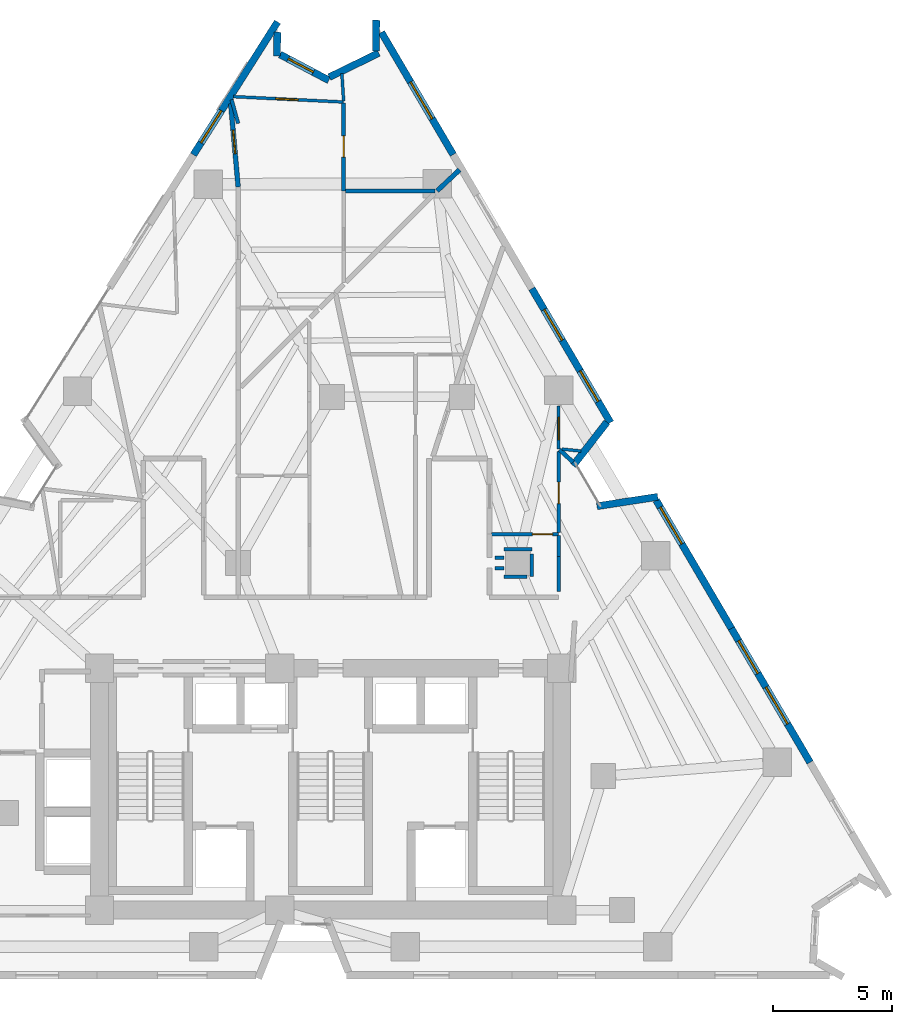
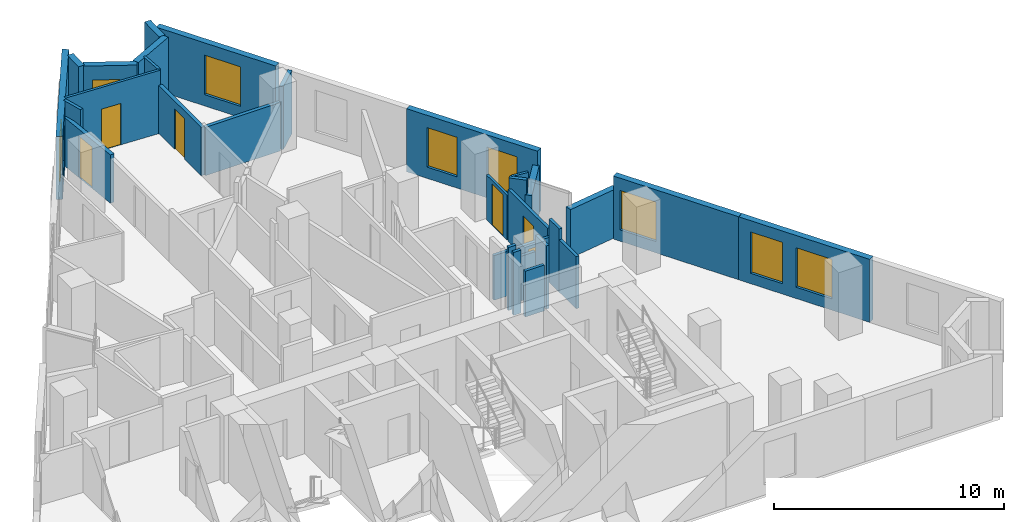
# One storey, part 9 of 12: 30 walls, 8 windows, 6 doors, 14 openings.
"""IFC4 building model written with IfcOpenShell, lengths in metres."""

from ifc_helpers import new_model, si_unit, direction, frame, frame_2d, origin, place, context, subcontext, project, spatial, rectangle, extrude, material, layer, layer_set, type_object, element, fill, save


model = new_model("IFC4")

# Units and contexts
model_context = context("Model", 3, precision=1e-05, world=origin(), true_north=direction((0.0, 1.0)))
body_context = subcontext(model_context, "Body", "Model", "MODEL_VIEW")
ifc_project = project(units=[si_unit("LENGTHUNIT", "METRE"), si_unit("AREAUNIT", "SQUARE_METRE"), si_unit("VOLUMEUNIT", "CUBIC_METRE"), si_unit("PLANEANGLEUNIT", "RADIAN"), si_unit("MASSUNIT", "GRAM", prefix="KILO")], contexts=[model_context])

# Site, building, storey
site_placement = place(None, origin())
site = spatial("IfcSite", under=ifc_project, at=site_placement, CompositionType="ELEMENT")
building_placement = place(site_placement, origin())
building = spatial("IfcBuilding", under=site, at=building_placement, Name="Almagre Mirador Tower", CompositionType="ELEMENT")
storey_placement = place(building_placement, frame((0.0, 0.0, 117.60009765625)))
storey = spatial("IfcBuildingStorey", under=building, at=storey_placement, Name="L29", CompositionType="ELEMENT", Elevation=117.60009765625)

# Wall, opening, window
ifc_material_1 = material(Name="Precast concrete C50/60", Category="concrete")
ifc_layer_1 = layer(ifc_material_1, 0.300048828125)
ifc_layer_set_1 = layer_set([ifc_layer_1], Name="Precast concrete C50/60")
wall_type_1 = type_object("IfcWallType", Name="WAL-EXT-300", PredefinedType="SOLIDWALL", material=ifc_layer_set_1)
wall_1_placement = place(storey_placement, frame((31.5126953125, 36.4150390625, 0.0), z_axis=(0.0, 0.0, 1.0), x_axis=(0.534892719091, 0.844919983823, 0.0)))
wall_1 = element("IfcWall", 1, at=wall_1_placement, inside=storey, type_object=wall_type_1, Name="L29 expressed almagre precast frame wall 04", PredefinedType="SOLIDWALL", context=body_context, shape_type="SweptSolid", body=[
    extrude(rectangle(XDim=6.6337890625, YDim=0.300048828125, at=frame_2d((3.31689453125, 0.0))), origin(), (0.0, 0.0, 1.0), 3.349853515625),
])
opening_1_placement = place(wall_1_placement, frame((0.60009765625, 0.0, 0.550048828125)))
opening_1 = element("IfcOpeningElement", 2, at=opening_1_placement, cuts=wall_1, Name="Opening WN-06", PredefinedType="OPENING", context=body_context, shape_type="SweptSolid", body=[
    extrude(rectangle(XDim=1.60009765625, YDim=2.199951171875, at=frame_2d((0.800048828125, 1.10009765625))), frame((0.0, 0.159902, 0.0), z_axis=(0.0, -1.0, 0.0), x_axis=(1.0, 0.0, 0.0)), (0.0, 0.0, 1.0), 0.320049),
])
ifc_material_2 = material(Name="Dark solar-control laminated hurricane glass", Category="glass")
window_type_1 = type_object("IfcWindowType", Name="WIN-1600X2200", PartitioningType="DOUBLE_PANEL_VERTICAL", PredefinedType="WINDOW", material=ifc_material_2)
window_1_placement = place(opening_1_placement, origin())
window_1 = element("IfcWindow", 3, at=window_1_placement, inside=storey, type_object=window_type_1, Name="L29 recessed hurricane window L29-UJ-HB", OverallHeight=2.199951171875, OverallWidth=1.60009765625, PartitioningType="SINGLE_PANEL", PredefinedType="WINDOW", context=body_context, shape_type="SweptSolid", body=[
    extrude(rectangle(XDim=1.60009765625, YDim=2.199951171875, at=frame_2d((0.800048828125, 1.10009765625))), frame((0.0, 0.030029296875, 0.0), z_axis=(0.0, -1.0, 0.0), x_axis=(1.0, 0.0, 0.0)), (0.0, 0.0, 1.0), 0.06005859375),
])
fill(opening_1, window_1)

# Wall
wall_2_placement = place(storey_placement, frame((35.0537109375, 41.585205078125, 0.0), z_axis=(0.0, 0.0, 1.0), x_axis=(-0.016913964816, -0.999856948665, 0.0)))
element("IfcWall", 4, at=wall_2_placement, inside=storey, type_object=wall_type_1, Name="L29 expressed almagre precast frame wall 05", PredefinedType="SOLIDWALL", context=body_context, shape_type="SweptSolid", body=[
    extrude(rectangle(XDim=1.010498046875, YDim=0.300048828125, at=frame_2d((0.50537109375, 0.0))), origin(), (0.0, 0.0, 1.0), 3.349853515625),
])

# Wall, opening, window
wall_3_placement = place(storey_placement, frame((35.1669921875, 40.647216796875, 0.0), z_axis=(0.0, 0.0, 1.0), x_axis=(0.883555999994, -0.468325522339, 0.0)))
wall_3 = element("IfcWall", 5, at=wall_3_placement, inside=storey, type_object=wall_type_1, Name="L29 expressed almagre precast frame wall 06", PredefinedType="SOLIDWALL", context=body_context, shape_type="SweptSolid", body=[
    extrude(rectangle(XDim=2.331298828125, YDim=0.300048828125, at=frame_2d((1.16552734375, 0.0))), origin(), (0.0, 0.0, 1.0), 3.349853515625),
])
opening_2_placement = place(wall_3_placement, frame((0.389892578125, 0.0, 0.800048828125)))
opening_2 = element("IfcOpeningElement", 6, at=opening_2_placement, cuts=wall_3, Name="Opening WN-04", PredefinedType="OPENING", context=body_context, shape_type="SweptSolid", body=[
    extrude(rectangle(XDim=1.199951171875, YDim=1.800048828125, at=frame_2d((0.60009765625, 0.89990234375))), frame((0.0, 0.159902, 0.0), z_axis=(0.0, -1.0, 0.0), x_axis=(1.0, 0.0, 0.0)), (0.0, 0.0, 1.0), 0.320049),
])
ifc_material_3 = material(Name="Dark solar-control laminated hurricane glass", Category="glass")
window_type_2 = type_object("IfcWindowType", Name="WIN-1200X1800", PartitioningType="SINGLE_PANEL", PredefinedType="WINDOW", material=ifc_material_3)
window_2_placement = place(opening_2_placement, origin())
window_2 = element("IfcWindow", 7, at=window_2_placement, inside=storey, type_object=window_type_2, Name="L29 recessed hurricane window L29-UL-KT", OverallHeight=1.800048828125, OverallWidth=1.199951171875, PartitioningType="SINGLE_PANEL", PredefinedType="WINDOW", context=body_context, shape_type="SweptSolid", body=[
    extrude(rectangle(XDim=1.199951171875, YDim=1.800048828125, at=frame_2d((0.60009765625, 0.89990234375))), frame((0.0, 0.030029296875, 0.0), z_axis=(0.0, -1.0, 0.0), x_axis=(1.0, 0.0, 0.0)), (0.0, 0.0, 1.0), 0.06005859375),
])
fill(opening_2, window_2)

# Walls
wall_4_placement = place(storey_placement, frame((37.2421875, 39.68896484375, 0.0), z_axis=(0.0, 0.0, 1.0), x_axis=(0.898736119344, 0.438489894738, 0.0)))
element("IfcWall", 8, at=wall_4_placement, inside=storey, type_object=wall_type_1, Name="L29 expressed almagre precast frame wall 07", PredefinedType="SOLIDWALL", context=body_context, shape_type="SweptSolid", body=[
    extrude(rectangle(XDim=2.32275390625, YDim=0.300048828125, at=frame_2d((1.161376953125, 0.0))), origin(), (0.0, 0.0, 1.0), 3.349853515625),
])
wall_5_placement = place(storey_placement, frame((39.206298828125, 40.791015625, 0.0), z_axis=(0.0, 0.0, 1.0), x_axis=(0.01614812892, 0.999869610465, 0.0)))
element("IfcWall", 9, at=wall_5_placement, inside=storey, type_object=wall_type_1, Name="L29 expressed almagre precast frame wall 08", PredefinedType="SOLIDWALL", context=body_context, shape_type="SweptSolid", body=[
    extrude(rectangle(XDim=1.30029296875, YDim=0.300048828125, at=frame_2d((0.650146484375, 0.0))), origin(), (0.0, 0.0, 1.0), 3.349853515625),
])

# Wall, opening, window
wall_6_placement = place(storey_placement, frame((39.442626953125, 41.580078125, 0.0), z_axis=(0.0, 0.0, 1.0), x_axis=(0.506342397937, -0.862332520581, 0.0)))
wall_6 = element("IfcWall", 10, at=wall_6_placement, inside=storey, type_object=wall_type_1, Name="L29 expressed almagre precast frame wall 09", PredefinedType="SOLIDWALL", context=body_context, shape_type="SweptSolid", body=[
    extrude(rectangle(XDim=5.983642578125, YDim=0.300048828125, at=frame_2d((2.99169921875, 0.0))), origin(), (0.0, 0.0, 1.0), 3.349853515625),
])
opening_3_placement = place(wall_6_placement, frame((2.429931640625, 0.0, 0.60009765625)))
opening_3 = element("IfcOpeningElement", 11, at=opening_3_placement, cuts=wall_6, Name="Opening WN-01", PredefinedType="OPENING", context=body_context, shape_type="SweptSolid", body=[
    extrude(rectangle(XDim=1.800048828125, YDim=2.10009765625, at=frame_2d((0.89990234375, 1.050048828125))), frame((0.0, 0.159902, 0.0), z_axis=(0.0, -1.0, 0.0), x_axis=(1.0, 0.0, 0.0)), (0.0, 0.0, 1.0), 0.320049),
])
ifc_material_4 = material(Name="Dark solar-control laminated hurricane glass", Category="glass")
window_type_3 = type_object("IfcWindowType", Name="WIN-1800X2100", PartitioningType="DOUBLE_PANEL_VERTICAL", PredefinedType="WINDOW", material=ifc_material_4)
window_3_placement = place(opening_3_placement, origin())
window_3 = element("IfcWindow", 12, at=window_3_placement, inside=storey, type_object=window_type_3, Name="L29 recessed hurricane window L29-UL-MB", OverallHeight=2.10009765625, OverallWidth=1.800048828125, PartitioningType="SINGLE_PANEL", PredefinedType="WINDOW", context=body_context, shape_type="SweptSolid", body=[
    extrude(rectangle(XDim=1.800048828125, YDim=2.10009765625, at=frame_2d((0.89990234375, 1.050048828125))), frame((0.0, 0.030029296875, 0.0), z_axis=(0.0, -1.0, 0.0), x_axis=(1.0, 0.0, 0.0)), (0.0, 0.0, 1.0), 0.06005859375),
])
fill(opening_3, window_3)

# Wall, openings, windows
wall_7_placement = place(storey_placement, frame((45.79052734375, 30.768798828125, 0.0), z_axis=(0.0, 0.0, 1.0), x_axis=(0.506326446954, -0.862341886443, 0.0)))
wall_7 = element("IfcWall", 13, at=wall_7_placement, inside=storey, type_object=wall_type_1, Name="L29 expressed almagre precast frame wall 11", PredefinedType="SOLIDWALL", context=body_context, shape_type="SweptSolid", body=[
    extrude(rectangle(XDim=6.5537109375, YDim=0.300048828125, at=frame_2d((3.27685546875, 0.0))), origin(), (0.0, 0.0, 1.0), 3.349853515625),
])
opening_4_placement = place(wall_7_placement, frame((1.02490234375, 0.0, 0.60009765625)))
opening_4 = element("IfcOpeningElement", 14, at=opening_4_placement, cuts=wall_7, Name="Opening WN-03", PredefinedType="OPENING", context=body_context, shape_type="SweptSolid", body=[
    extrude(rectangle(XDim=1.5, YDim=2.10009765625, at=frame_2d((0.75, 1.050048828125))), frame((0.0, 0.159902, 0.0), z_axis=(0.0, -1.0, 0.0), x_axis=(1.0, 0.0, 0.0)), (0.0, 0.0, 1.0), 0.320049),
])
opening_5_placement = place(wall_7_placement, frame((4.02490234375, 0.0, 0.60009765625)))
opening_5 = element("IfcOpeningElement", 15, at=opening_5_placement, cuts=wall_7, Name="Opening WN-03", PredefinedType="OPENING", context=body_context, shape_type="SweptSolid", body=[
    extrude(rectangle(XDim=1.5, YDim=2.10009765625, at=frame_2d((0.75, 1.050048828125))), frame((0.0, 0.159902, 0.0), z_axis=(0.0, -1.0, 0.0), x_axis=(1.0, 0.0, 0.0)), (0.0, 0.0, 1.0), 0.320049),
])
ifc_material_5 = material(Name="Dark solar-control laminated hurricane glass", Category="glass")
window_type_4 = type_object("IfcWindowType", Name="WIN-1500X2100", PartitioningType="DOUBLE_PANEL_VERTICAL", PredefinedType="WINDOW", material=ifc_material_5)
window_4_placement = place(opening_4_placement, origin())
window_4 = element("IfcWindow", 16, at=window_4_placement, inside=storey, type_object=window_type_4, Name="L29 recessed hurricane window L29-UH-LV", OverallHeight=2.10009765625, OverallWidth=1.5, PartitioningType="SINGLE_PANEL", PredefinedType="WINDOW", context=body_context, shape_type="SweptSolid", body=[
    extrude(rectangle(XDim=1.5, YDim=2.10009765625, at=frame_2d((0.75, 1.050048828125))), frame((0.0, 0.030029296875, 0.0), z_axis=(0.0, -1.0, 0.0), x_axis=(1.0, 0.0, 0.0)), (0.0, 0.0, 1.0), 0.06005859375),
])
fill(opening_4, window_4)
window_5_placement = place(opening_5_placement, origin())
window_5 = element("IfcWindow", 17, at=window_5_placement, inside=storey, type_object=window_type_4, Name="L29 recessed hurricane window L29-UH-KT", OverallHeight=2.10009765625, OverallWidth=1.5, PartitioningType="SINGLE_PANEL", PredefinedType="WINDOW", context=body_context, shape_type="SweptSolid", body=[
    extrude(rectangle(XDim=1.5, YDim=2.10009765625, at=frame_2d((0.75, 1.050048828125))), frame((0.0, 0.030029296875, 0.0), z_axis=(0.0, -1.0, 0.0), x_axis=(1.0, 0.0, 0.0)), (0.0, 0.0, 1.0), 0.06005859375),
])
fill(opening_5, window_5)

# Walls
wall_8_placement = place(storey_placement, frame((48.955078125, 25.131591796875, 0.0), z_axis=(0.0, 0.0, 1.0), x_axis=(-0.614326980446, -0.789051557946, 0.0)))
element("IfcWall", 18, at=wall_8_placement, inside=storey, type_object=wall_type_1, Name="L29 expressed almagre precast frame wall 12", PredefinedType="SOLIDWALL", context=body_context, shape_type="SweptSolid", body=[
    extrude(rectangle(XDim=2.318115234375, YDim=0.300048828125, at=frame_2d((1.1591796875, 0.0))), origin(), (0.0, 0.0, 1.0), 2.574951171875),
])
wall_9_placement = place(storey_placement, frame((48.53662109375, 21.588623046875, 0.0), z_axis=(0.0, 0.0, 1.0), x_axis=(0.988351014823, 0.152191561848, 0.0)))
element("IfcWall", 19, at=wall_9_placement, inside=storey, type_object=wall_type_1, Name="L29 expressed almagre precast frame wall 13", PredefinedType="SOLIDWALL", context=body_context, shape_type="SweptSolid", body=[
    extrude(rectangle(XDim=2.593994140625, YDim=0.300048828125, at=frame_2d((1.296875, 0.0))), origin(), (0.0, 0.0, 1.0), 2.574951171875),
])

# Wall, opening, window
wall_10_placement = place(storey_placement, frame((51.032958984375, 21.84130859375, 0.0), z_axis=(0.0, 0.0, 1.0), x_axis=(0.506317595085, -0.862347083782, 0.0)))
wall_10 = element("IfcWall", 20, at=wall_10_placement, inside=storey, type_object=wall_type_1, Name="L29 expressed almagre precast frame wall 14", PredefinedType="SOLIDWALL", context=body_context, shape_type="SweptSolid", body=[
    extrude(rectangle(XDim=6.273681640625, YDim=0.300048828125, at=frame_2d((3.13671875, 0.0))), origin(), (0.0, 0.0, 1.0), 3.349853515625),
])
opening_6_placement = place(wall_10_placement, frame((0.344970703125, 0.0, 0.60009765625)))
opening_6 = element("IfcOpeningElement", 21, at=opening_6_placement, cuts=wall_10, Name="Opening WN-01", PredefinedType="OPENING", context=body_context, shape_type="SweptSolid", body=[
    extrude(rectangle(XDim=1.800048828125, YDim=2.10009765625, at=frame_2d((0.89990234375, 1.050048828125))), frame((0.0, 0.159902, 0.0), z_axis=(0.0, -1.0, 0.0), x_axis=(1.0, 0.0, 0.0)), (0.0, 0.0, 1.0), 0.320049),
])
window_6_placement = place(opening_6_placement, origin())
window_6 = element("IfcWindow", 22, at=window_6_placement, inside=storey, type_object=window_type_3, Name="L29 recessed hurricane window L29-UH-MB", OverallHeight=2.10009765625, OverallWidth=1.800048828125, PartitioningType="SINGLE_PANEL", PredefinedType="WINDOW", context=body_context, shape_type="SweptSolid", body=[
    extrude(rectangle(XDim=1.800048828125, YDim=2.10009765625, at=frame_2d((0.89990234375, 1.050048828125))), frame((0.0, 0.030029296875, 0.0), z_axis=(0.0, -1.0, 0.0), x_axis=(1.0, 0.0, 0.0)), (0.0, 0.0, 1.0), 0.06005859375),
])
fill(opening_6, window_6)

# Wall, openings, windows
wall_11_placement = place(storey_placement, frame((54.20947265625, 16.43115234375, 0.0), z_axis=(0.0, 0.0, 1.0), x_axis=(0.506315009763, -0.86234860172, 0.0)))
wall_11 = element("IfcWall", 23, at=wall_11_placement, inside=storey, type_object=wall_type_1, Name="L29 expressed almagre precast frame wall 15", PredefinedType="SOLIDWALL", context=body_context, shape_type="SweptSolid", body=[
    extrude(rectangle(XDim=6.553466796875, YDim=0.300048828125, at=frame_2d((3.27685546875, 0.0))), origin(), (0.0, 0.0, 1.0), 3.349853515625),
])
opening_7_placement = place(wall_11_placement, frame((2.875, 0.0, 0.60009765625)))
opening_7 = element("IfcOpeningElement", 24, at=opening_7_placement, cuts=wall_11, Name="Opening WN-01", PredefinedType="OPENING", context=body_context, shape_type="SweptSolid", body=[
    extrude(rectangle(XDim=1.800048828125, YDim=2.10009765625, at=frame_2d((0.89990234375, 1.050048828125))), frame((0.0, 0.159902, 0.0), z_axis=(0.0, -1.0, 0.0), x_axis=(1.0, 0.0, 0.0)), (0.0, 0.0, 1.0), 0.320049),
])
opening_8_placement = place(wall_11_placement, frame((0.60009765625, 0.0, 0.550048828125)))
opening_8 = element("IfcOpeningElement", 25, at=opening_8_placement, cuts=wall_11, Name="Opening WN-06", PredefinedType="OPENING", context=body_context, shape_type="SweptSolid", body=[
    extrude(rectangle(XDim=1.60009765625, YDim=2.199951171875, at=frame_2d((0.800048828125, 1.10009765625))), frame((0.0, 0.159902, 0.0), z_axis=(0.0, -1.0, 0.0), x_axis=(1.0, 0.0, 0.0)), (0.0, 0.0, 1.0), 0.320049),
])
window_7_placement = place(opening_8_placement, origin())
window_7 = element("IfcWindow", 26, at=window_7_placement, inside=storey, type_object=window_type_1, Name="L29 recessed hurricane window L29-UC-HB", OverallHeight=2.199951171875, OverallWidth=1.60009765625, PartitioningType="SINGLE_PANEL", PredefinedType="WINDOW", context=body_context, shape_type="SweptSolid", body=[
    extrude(rectangle(XDim=1.60009765625, YDim=2.199951171875, at=frame_2d((0.800048828125, 1.10009765625))), frame((0.0, 0.030029296875, 0.0), z_axis=(0.0, -1.0, 0.0), x_axis=(1.0, 0.0, 0.0)), (0.0, 0.0, 1.0), 0.06005859375),
])
fill(opening_8, window_7)
window_8_placement = place(opening_7_placement, origin())
window_8 = element("IfcWindow", 27, at=window_8_placement, inside=storey, type_object=window_type_3, Name="L29 recessed hurricane window L29-UC-LV", OverallHeight=2.10009765625, OverallWidth=1.800048828125, PartitioningType="SINGLE_PANEL", PredefinedType="WINDOW", context=body_context, shape_type="SweptSolid", body=[
    extrude(rectangle(XDim=1.800048828125, YDim=2.10009765625, at=frame_2d((0.89990234375, 1.050048828125))), frame((0.0, 0.030029296875, 0.0), z_axis=(0.0, -1.0, 0.0), x_axis=(1.0, 0.0, 0.0)), (0.0, 0.0, 1.0), 0.06005859375),
])
fill(opening_7, window_8)

# Wall, opening, door
ifc_material_6 = material(Name="Gypsum acoustic stud partition", Category="other")
ifc_layer_2 = layer(ifc_material_6, 0.125)
ifc_layer_set_2 = layer_set([ifc_layer_2], Name="Gypsum acoustic stud partition")
wall_type_2 = type_object("IfcWallType", Name="WAL-PRT-125-UTL", PredefinedType="PARTITIONING", material=ifc_layer_set_2)
wall_12_placement = place(storey_placement, frame((46.919921875, 24.010009765625, 0.0), z_axis=(0.0, 0.0, 1.0), x_axis=(0.0, 1.0, 0.0)))
wall_12 = element("IfcWall", 28, at=wall_12_placement, inside=storey, type_object=wall_type_2, Name="L29 interior partition 069", PredefinedType="PARTITIONING", context=body_context, shape_type="SweptSolid", body=[
    extrude(rectangle(XDim=1.81005859375, YDim=0.125, at=frame_2d((0.905029296875, 0.0))), origin(), (0.0, 0.0, 1.0), 2.371826171875),
])
opening_9_placement = place(wall_12_placement, frame((0.3720703125, 0.0, 0.0)))
opening_9 = element("IfcOpeningElement", 29, at=opening_9_placement, cuts=wall_12, Name="Opening UD-01", PredefinedType="OPENING", context=body_context, shape_type="SweptSolid", body=[
    extrude(rectangle(XDim=0.949951171875, YDim=2.199951171875, at=frame_2d((0.47509765625, 1.10009765625))), frame((0.0, 0.0725, 0.0), z_axis=(0.0, -1.0, 0.0), x_axis=(1.0, 0.0, 0.0)), (0.0, 0.0, 1.0), 0.145),
])
ifc_material_7 = material(Name="Solid American walnut timber", Category="wood")
door_type_1 = type_object("IfcDoorType", Name="DOR-UNR-950X2200", OperationType="NOTDEFINED", PredefinedType="DOOR", material=ifc_material_7)
door_1_placement = place(opening_9_placement, origin())
door_1 = element("IfcDoor", 30, at=door_1_placement, inside=storey, type_object=door_type_1, Name="DR-0958 L29 interior door L29-UH-LV to L29-UH-KT", OperationType="SINGLE_SWING_RIGHT", OverallHeight=2.199951171875, OverallWidth=0.949951171875, PredefinedType="DOOR", context=body_context, shape_type="SweptSolid", body=[
    extrude(rectangle(XDim=0.949951171875, YDim=2.199951171875, at=frame_2d((0.47509765625, 1.10009765625))), frame((0.0, 0.02490234375, 0.0), z_axis=(0.0, -1.0, 0.0), x_axis=(1.0, 0.0, 0.0)), (0.0, 0.0, 1.0), 0.050048828125),
])
fill(opening_9, door_1)

# Wall
wall_13_placement = place(storey_placement, frame((47.06689453125, 23.9970703125, 0.0), z_axis=(0.0, 0.0, 1.0), x_axis=(0.99466575773, -0.103150523024, 0.0)))
element("IfcWall", 31, at=wall_13_placement, inside=storey, type_object=wall_type_2, Name="L29 interior partition 074", PredefinedType="PARTITIONING", context=body_context, shape_type="SweptSolid", body=[
    extrude(rectangle(XDim=0.795166015625, YDim=0.125, at=frame_2d((0.3974609375, 0.0))), origin(), (0.0, 0.0, 1.0), 3.349853515625),
])

# Wall, opening, door
wall_14_placement = place(storey_placement, frame((37.85009765625, 38.639892578125, 0.0), z_axis=(0.0, 0.0, 1.0), x_axis=(-0.998808611293, 0.04879915989, 0.0)))
wall_14 = element("IfcWall", 32, at=wall_14_placement, inside=storey, type_object=wall_type_2, Name="L29 interior partition 089", PredefinedType="PARTITIONING", context=body_context, shape_type="SweptSolid", body=[
    extrude(rectangle(XDim=4.65283203125, YDim=0.125, at=frame_2d((2.326416015625, 0.0))), origin(), (0.0, 0.0, 1.0), 3.349853515625),
])
opening_10_placement = place(wall_14_placement, frame((1.92333984375, 0.0, 0.0)))
opening_10 = element("IfcOpeningElement", 33, at=opening_10_placement, cuts=wall_14, Name="Opening UD-01", PredefinedType="OPENING", context=body_context, shape_type="SweptSolid", body=[
    extrude(rectangle(XDim=0.949951171875, YDim=2.199951171875, at=frame_2d((0.47509765625, 1.10009765625))), frame((0.0, 0.0725, 0.0), z_axis=(0.0, -1.0, 0.0), x_axis=(1.0, 0.0, 0.0)), (0.0, 0.0, 1.0), 0.145),
])
door_2_placement = place(opening_10_placement, origin())
door_2 = element("IfcDoor", 34, at=door_2_placement, inside=storey, type_object=door_type_1, Name="DR-0965 L29 interior door L29-UL-LV to L29-UL-KT", OperationType="SINGLE_SWING_RIGHT", OverallHeight=2.199951171875, OverallWidth=0.949951171875, PredefinedType="DOOR", context=body_context, shape_type="SweptSolid", body=[
    extrude(rectangle(XDim=0.949951171875, YDim=2.199951171875, at=frame_2d((0.47509765625, 1.10009765625))), frame((0.0, 0.02490234375, 0.0), z_axis=(0.0, -1.0, 0.0), x_axis=(1.0, 0.0, 0.0)), (0.0, 0.0, 1.0), 0.050048828125),
])
fill(opening_10, door_2)

# Wall
wall_15_placement = place(storey_placement, frame((37.84765625, 38.6875, 0.0), z_axis=(0.0, 0.0, 1.0), x_axis=(-0.061621436475, 0.998099593511, 0.0)))
element("IfcWall", 35, at=wall_15_placement, inside=storey, type_object=wall_type_2, Name="L29 interior partition 092", PredefinedType="PARTITIONING", context=body_context, shape_type="SweptSolid", body=[
    extrude(rectangle(XDim=1.164794921875, YDim=0.125, at=frame_2d((0.58251953125, 0.0))), origin(), (0.0, 0.0, 1.0), 3.349853515625),
])

# Wall, opening, door
ifc_material_8 = material(Name="Gypsum acoustic stud partition", Category="other")
ifc_layer_3 = layer(ifc_material_8, 0.14990234375)
ifc_layer_set_3 = layer_set([ifc_layer_3], Name="Gypsum acoustic stud partition")
wall_type_3 = type_object("IfcWallType", Name="WAL-PRT-150-STD", PredefinedType="PARTITIONING", material=ifc_layer_set_3)
wall_16_placement = place(storey_placement, frame((44.0849609375, 20.409912109375, 0.0), z_axis=(0.0, 0.0, 1.0), x_axis=(1.0, 0.0, 0.0)))
wall_16 = element("IfcWall", 36, at=wall_16_placement, inside=storey, type_object=wall_type_3, Name="L29 interior partition 068", PredefinedType="PARTITIONING", context=body_context, shape_type="SweptSolid", body=[
    extrude(rectangle(XDim=2.8349609375, YDim=0.14990234375, at=frame_2d((1.41748046875, 0.0))), origin(), (0.0, 0.0, 1.0), 2.371826171875),
])
opening_11_placement = place(wall_16_placement, frame((1.7255859375, 0.0, 0.0)))
opening_11 = element("IfcOpeningElement", 37, at=opening_11_placement, cuts=wall_16, Name="Opening UD-04", PredefinedType="OPENING", context=body_context, shape_type="SweptSolid", body=[
    extrude(rectangle(XDim=0.85009765625, YDim=2.10009765625, at=frame_2d((0.425048828125, 1.050048828125))), frame((0.0, 0.084951, 0.0), z_axis=(0.0, -1.0, 0.0), x_axis=(1.0, 0.0, 0.0)), (0.0, 0.0, 1.0), 0.169902),
])
ifc_material_9 = material(Name="Moisture-resistant oak timber", Category="wood")
door_type_2 = type_object("IfcDoorType", Name="DOR-UNR-850X2100", OperationType="NOTDEFINED", PredefinedType="DOOR", material=ifc_material_9)
door_3_placement = place(opening_11_placement, origin())
door_3 = element("IfcDoor", 38, at=door_3_placement, inside=storey, type_object=door_type_2, Name="DR-0959 L29 interior door L29-UH-LV to L29-UH-HB", OperationType="SINGLE_SWING_LEFT", OverallHeight=2.10009765625, OverallWidth=0.85009765625, PredefinedType="DOOR", context=body_context, shape_type="SweptSolid", body=[
    extrude(rectangle(XDim=0.85009765625, YDim=2.10009765625, at=frame_2d((0.425048828125, 1.050048828125))), frame((0.0, 0.02490234375, 0.0), z_axis=(0.0, -1.0, 0.0), x_axis=(1.0, 0.0, 0.0)), (0.0, 0.0, 1.0), 0.050048828125),
])
fill(opening_11, door_3)

wall_17_placement = place(storey_placement, frame((46.919921875, 20.469970703125, 0.0), z_axis=(0.0, 0.0, 1.0), x_axis=(0.0, 1.0, 0.0)))
wall_17 = element("IfcWall", 39, at=wall_17_placement, inside=storey, type_object=wall_type_3, Name="L29 interior partition 070", PredefinedType="PARTITIONING", context=body_context, shape_type="SweptSolid", body=[
    extrude(rectangle(XDim=3.425048828125, YDim=0.14990234375, at=frame_2d((1.71240234375, 0.0))), origin(), (0.0, 0.0, 1.0), 2.77099609375),
])
opening_12_placement = place(wall_17_placement, frame((1.232421875, 0.0, 0.0)))
opening_12 = element("IfcOpeningElement", 40, at=opening_12_placement, cuts=wall_17, Name="Opening UD-02", PredefinedType="OPENING", context=body_context, shape_type="SweptSolid", body=[
    extrude(rectangle(XDim=0.89990234375, YDim=2.14990234375, at=frame_2d((0.449951171875, 1.074951171875))), frame((0.0, 0.084951, 0.0), z_axis=(0.0, -1.0, 0.0), x_axis=(1.0, 0.0, 0.0)), (0.0, 0.0, 1.0), 0.169902),
])
ifc_material_10 = material(Name="Solid American walnut timber", Category="wood")
door_type_3 = type_object("IfcDoorType", Name="DOR-UNR-900X2150", OperationType="NOTDEFINED", PredefinedType="DOOR", material=ifc_material_10)
door_4_placement = place(opening_12_placement, origin())
door_4 = element("IfcDoor", 41, at=door_4_placement, inside=storey, type_object=door_type_3, Name="DR-0960 L29 interior door L29-UH-LV to L29-UH-MB", OperationType="SINGLE_SWING_RIGHT", OverallHeight=2.14990234375, OverallWidth=0.89990234375, PredefinedType="DOOR", context=body_context, shape_type="SweptSolid", body=[
    extrude(rectangle(XDim=0.89990234375, YDim=2.14990234375, at=frame_2d((0.449951171875, 1.074951171875))), frame((0.0, 0.02490234375, 0.0), z_axis=(0.0, -1.0, 0.0), x_axis=(1.0, 0.0, 0.0)), (0.0, 0.0, 1.0), 0.050048828125),
])
fill(opening_12, door_4)

# Walls
wall_18_placement = place(storey_placement, frame((46.919921875, 19.4599609375, 0.0), z_axis=(0.0, 0.0, 1.0), x_axis=(0.0, 1.0, 0.0)))
element("IfcWall", 42, at=wall_18_placement, inside=storey, type_object=wall_type_3, Name="L29 interior partition 073", PredefinedType="PARTITIONING", context=body_context, shape_type="SweptSolid", body=[
    extrude(rectangle(XDim=0.89013671875, YDim=0.14990234375, at=frame_2d((0.445068359375, 0.0))), origin(), (0.0, 0.0, 1.0), 3.349853515625),
])
wall_19_placement = place(storey_placement, frame((44.239990234375, 19.419921875, 0.0), z_axis=(0.0, 0.0, 1.0), x_axis=(1.0, 0.0, 0.0)))
element("IfcWall", 43, at=wall_19_placement, inside=storey, type_object=wall_type_3, Name="L29 interior partition 100", PredefinedType="PARTITIONING", context=body_context, shape_type="SweptSolid", body=[
    extrude(rectangle(XDim=0.380126953125, YDim=0.14990234375, at=frame_2d((0.18994140625, 0.0))), origin(), (0.0, 0.0, 1.0), 3.349853515625),
])
wall_20_placement = place(storey_placement, frame((44.6201171875, 19.780029296875, 0.0), z_axis=(0.0, 0.0, 1.0), x_axis=(1.0, 0.0, 0.0)))
element("IfcWall", 44, at=wall_20_placement, inside=storey, type_object=wall_type_3, Name="L29 interior partition 101", PredefinedType="PARTITIONING", context=body_context, shape_type="SweptSolid", body=[
    extrude(rectangle(XDim=1.169921875, YDim=0.14990234375, at=frame_2d((0.5849609375, 0.0))), origin(), (0.0, 0.0, 1.0), 2.371826171875),
])
wall_21_placement = place(storey_placement, frame((45.7900390625, 19.56494140625, 0.0), z_axis=(0.0, 0.0, 1.0), x_axis=(0.0, -1.0, 0.0)))
element("IfcWall", 45, at=wall_21_placement, inside=storey, type_object=wall_type_3, Name="L29 interior partition 102", PredefinedType="PARTITIONING", context=body_context, shape_type="SweptSolid", body=[
    extrude(rectangle(XDim=0.94482421875, YDim=0.14990234375, at=frame_2d((0.472412109375, 0.0))), origin(), (0.0, 0.0, 1.0), 3.349853515625),
])
wall_22_placement = place(storey_placement, frame((45.574951171875, 18.6201171875, 0.0), z_axis=(0.0, 0.0, 1.0), x_axis=(-1.0, 0.0, 0.0)))
element("IfcWall", 46, at=wall_22_placement, inside=storey, type_object=wall_type_3, Name="L29 interior partition 103", PredefinedType="PARTITIONING", context=body_context, shape_type="SweptSolid", body=[
    extrude(rectangle(XDim=0.954833984375, YDim=0.14990234375, at=frame_2d((0.4775390625, 0.0))), origin(), (0.0, 0.0, 1.0), 2.435791015625),
])
wall_23_placement = place(storey_placement, frame((44.6201171875, 18.97998046875, 0.0), z_axis=(0.0, 0.0, 1.0), x_axis=(-1.0, 0.0, 0.0)))
element("IfcWall", 47, at=wall_23_placement, inside=storey, type_object=wall_type_3, Name="L29 interior partition 104", PredefinedType="PARTITIONING", context=body_context, shape_type="SweptSolid", body=[
    extrude(rectangle(XDim=0.380126953125, YDim=0.14990234375, at=frame_2d((0.18994140625, 0.0))), origin(), (0.0, 0.0, 1.0), 3.349853515625),
])
wall_24_placement = place(storey_placement, frame((46.919921875, 17.989990234375, 0.0), z_axis=(0.0, 0.0, 1.0), x_axis=(0.0, 1.0, 0.0)))
element("IfcWall", 48, at=wall_24_placement, inside=storey, type_object=wall_type_3, Name="L29 interior partition 105", PredefinedType="PARTITIONING", context=body_context, shape_type="SweptSolid", body=[
    extrude(rectangle(XDim=1.469970703125, YDim=0.14990234375, at=frame_2d((0.73486328125, 0.0))), origin(), (0.0, 0.0, 1.0), 2.77099609375),
])
wall_25_placement = place(storey_placement, frame((33.39990234375, 37.735107421875, 0.0), z_axis=(0.0, 0.0, 1.0), x_axis=(-0.266094416797, 0.963946970196, 0.0)))
element("IfcWall", 49, at=wall_25_placement, inside=storey, type_object=wall_type_3, Name="L29 interior partition 110", PredefinedType="PARTITIONING", context=body_context, shape_type="SweptSolid", body=[
    extrude(rectangle(XDim=1.04052734375, YDim=0.14990234375, at=frame_2d((0.520263671875, 0.0))), origin(), (0.0, 0.0, 1.0), 3.349853515625),
])

# Wall, opening, door
ifc_material_11 = material(Name="Gypsum acoustic stud partition", Category="other")
ifc_layer_4 = layer(ifc_material_11, 0.175048828125)
ifc_layer_set_4 = layer_set([ifc_layer_4], Name="Gypsum acoustic stud partition")
wall_type_4 = type_object("IfcWallType", Name="WAL-PRT-175-AC", PredefinedType="PARTITIONING", material=ifc_layer_set_4)
wall_26_placement = place(storey_placement, frame((37.85009765625, 34.889892578125, 0.0), z_axis=(0.0, 0.0, 1.0), x_axis=(0.0, 1.0, 0.0)))
wall_26 = element("IfcWall", 50, at=wall_26_placement, inside=storey, type_object=wall_type_4, Name="L29 interior partition 090", PredefinedType="PARTITIONING", context=body_context, shape_type="SweptSolid", body=[
    extrude(rectangle(XDim=3.70263671875, YDim=0.175048828125, at=frame_2d((1.851318359375, 0.0))), origin(), (0.0, 0.0, 1.0), 2.56982421875),
])
opening_13_placement = place(wall_26_placement, frame((1.425048828125, 0.0, 0.0)))
opening_13 = element("IfcOpeningElement", 51, at=opening_13_placement, cuts=wall_26, Name="Opening UD-02", PredefinedType="OPENING", context=body_context, shape_type="SweptSolid", body=[
    extrude(rectangle(XDim=0.89990234375, YDim=2.14990234375, at=frame_2d((0.449951171875, 1.074951171875))), frame((0.0, 0.097402, 0.0), z_axis=(0.0, -1.0, 0.0), x_axis=(1.0, 0.0, 0.0)), (0.0, 0.0, 1.0), 0.195049),
])
door_5_placement = place(opening_13_placement, origin())
door_5 = element("IfcDoor", 52, at=door_5_placement, inside=storey, type_object=door_type_3, Name="DR-0968 L29 interior door L29-UL-LV to L29-UL-MB", OperationType="SINGLE_SWING_LEFT", OverallHeight=2.14990234375, OverallWidth=0.89990234375, PredefinedType="DOOR", context=body_context, shape_type="SweptSolid", body=[
    extrude(rectangle(XDim=0.89990234375, YDim=2.14990234375, at=frame_2d((0.449951171875, 1.074951171875))), frame((0.0, 0.02490234375, 0.0), z_axis=(0.0, -1.0, 0.0), x_axis=(1.0, 0.0, 0.0)), (0.0, 0.0, 1.0), 0.050048828125),
])
fill(opening_13, door_5)

# Walls
wall_27_placement = place(storey_placement, frame((37.922607421875, 34.889892578125, 0.0), z_axis=(0.0, 0.0, 1.0), x_axis=(1.0, 0.0, 0.0)))
element("IfcWall", 53, at=wall_27_placement, inside=storey, type_object=wall_type_4, Name="L29 interior partition 093", PredefinedType="PARTITIONING", context=body_context, shape_type="SweptSolid", body=[
    extrude(rectangle(XDim=3.782470703125, YDim=0.175048828125, at=frame_2d((1.89111328125, 0.0))), origin(), (0.0, 0.0, 1.0), 2.56982421875),
])
wall_28_placement = place(storey_placement, frame((47.528076171875, 23.443115234375, 0.0), z_axis=(0.0, 0.0, 1.0), x_axis=(-0.731583247314, 0.681752119358, 0.0)))
element("IfcWall", 54, at=wall_28_placement, inside=storey, type_object=wall_type_4, Name="L29 interior partition 096", PredefinedType="PARTITIONING", context=body_context, shape_type="SweptSolid", body=[
    extrude(rectangle(XDim=0.783935546875, YDim=0.175048828125, at=frame_2d((0.39208984375, 0.0))), origin(), (0.0, 0.0, 1.0), 3.349853515625),
])

# Wall, opening, door
ifc_material_12 = material(Name="Gypsum acoustic stud partition", Category="other")
ifc_layer_5 = layer(ifc_material_12, 0.199951171875)
ifc_layer_set_5 = layer_set([ifc_layer_5], Name="Gypsum acoustic stud partition")
wall_type_5 = type_object("IfcWallType", Name="WAL-PRT-200-EI60", PredefinedType="PARTITIONING", material=ifc_layer_set_5)
wall_29_placement = place(storey_placement, frame((33.39990234375, 35.06005859375, 0.0), z_axis=(0.0, 0.0, 1.0), x_axis=(-0.089730417275, 0.995966089892, 0.0)))
wall_29 = element("IfcWall", 55, at=wall_29_placement, inside=storey, type_object=wall_type_5, Name="L29 interior partition 080", PredefinedType="PARTITIONING", context=body_context, shape_type="SweptSolid", body=[
    extrude(rectangle(XDim=3.526123046875, YDim=0.199951171875, at=frame_2d((1.76318359375, 0.0))), origin(), (0.0, 0.0, 1.0), 2.56982421875),
])
opening_14_placement = place(wall_29_placement, frame((1.40576171875, 0.0, 0.0)))
opening_14 = element("IfcOpeningElement", 56, at=opening_14_placement, cuts=wall_29, Name="Opening ID-01", PredefinedType="OPENING", context=body_context, shape_type="SweptSolid", body=[
    extrude(rectangle(XDim=1.0, YDim=2.199951171875, at=frame_2d((0.5, 1.10009765625))), frame((0.0, 0.110098, 0.0), z_axis=(0.0, -1.0, 0.0), x_axis=(1.0, 0.0, 0.0)), (0.0, 0.0, 1.0), 0.219951),
])
ifc_material_13 = material(Name="Fire-rated walnut timber", Category="wood")
door_type_4 = type_object("IfcDoorType", Name="DOR-FD60-1000X2200", OperationType="NOTDEFINED", PredefinedType="DOOR", material=ifc_material_13)
door_6_placement = place(opening_14_placement, origin())
door_6 = element("IfcDoor", 57, at=door_6_placement, inside=storey, type_object=door_type_4, Name="DR-0971 L29 interior door L29-UJ-HB to L29-UL-LV", OperationType="SINGLE_SWING_RIGHT", OverallHeight=2.199951171875, OverallWidth=1.0, PredefinedType="DOOR", context=body_context, shape_type="SweptSolid", body=[
    extrude(rectangle(XDim=1.0, YDim=2.199951171875, at=frame_2d((0.5, 1.10009765625))), frame((0.0, 0.02490234375, 0.0), z_axis=(0.0, -1.0, 0.0), x_axis=(1.0, 0.0, 0.0)), (0.0, 0.0, 1.0), 0.050048828125),
])
fill(opening_14, door_6)

# Wall
wall_30_placement = place(storey_placement, frame((42.738037109375, 35.779052734375, 0.0), z_axis=(0.0, 0.0, 1.0), x_axis=(-0.729379024936, -0.684109814272, 0.0)))
element("IfcWall", 58, at=wall_30_placement, inside=storey, type_object=wall_type_5, Name="L29 interior partition 086", PredefinedType="PARTITIONING", context=body_context, shape_type="SweptSolid", body=[
    extrude(rectangle(XDim=1.2998046875, YDim=0.199951171875, at=frame_2d((0.64990234375, 0.0))), origin(), (0.0, 0.0, 1.0), 3.349853515625),
])

save(model, "model.ifc")
